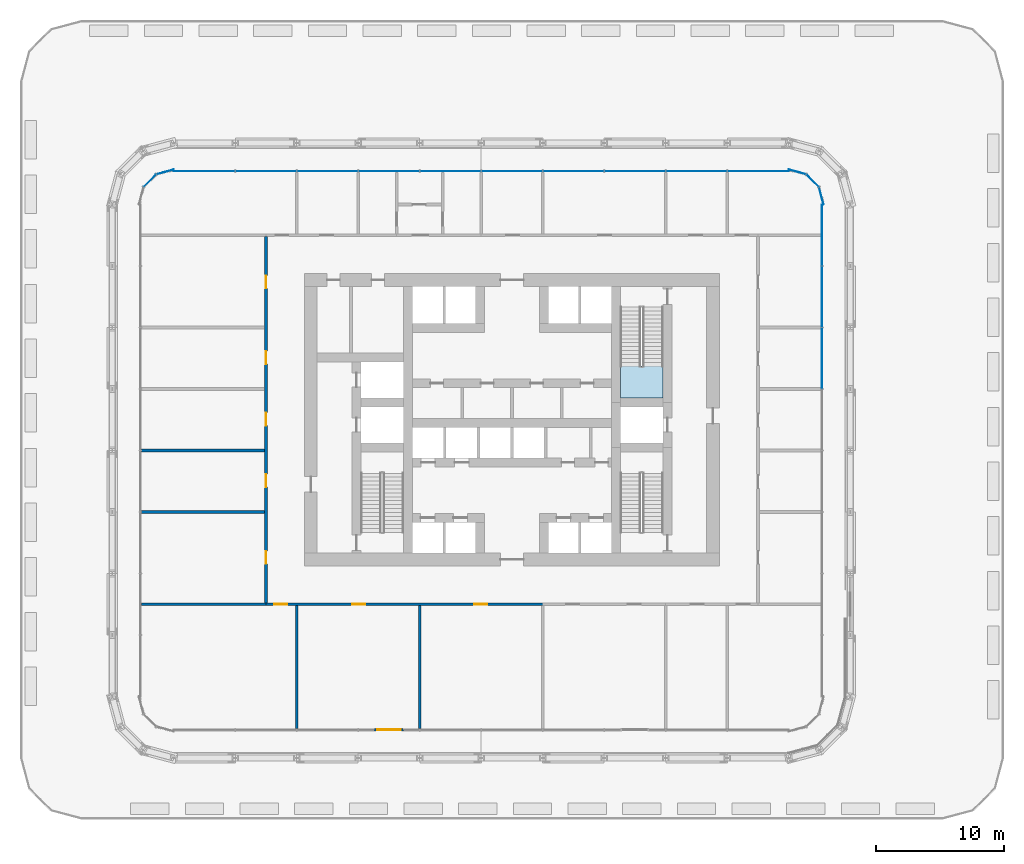
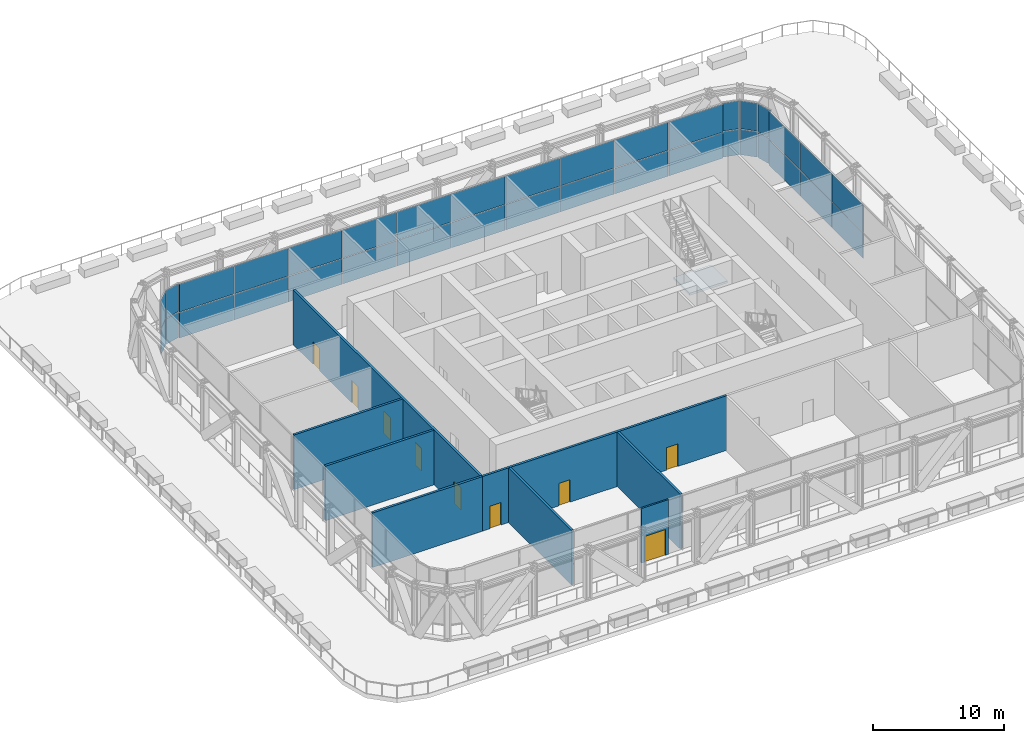
# One storey, part 13 of 22: 36 plates, 9 doors, 8 walls, 1 slab, 9 openings, 5 elements without a shape of their own.
"""IFC4 building model written with IfcOpenShell, lengths in metres."""

from ifc_helpers import new_model, si_unit, direction, frame, frame_2d, origin, origin_2d, place, context, subcontext, project, spatial, polyline, rectangle, outline, extrude, material, layer, layer_set, type_object, element, fill, aggregate, save


model = new_model("IFC4")

# Units and contexts
model_context = context("Model", 3, precision=1e-05, world=origin(), true_north=direction((0.0, 1.0)))
body_context = subcontext(model_context, "Body", "Model", "MODEL_VIEW")
ifc_project = project(units=[si_unit("LENGTHUNIT", "METRE"), si_unit("AREAUNIT", "SQUARE_METRE"), si_unit("VOLUMEUNIT", "CUBIC_METRE"), si_unit("PLANEANGLEUNIT", "RADIAN"), si_unit("MASSUNIT", "GRAM", prefix="KILO")], contexts=[model_context])

# Site, building, storey
site_placement = place(None, origin())
site = spatial("IfcSite", under=ifc_project, at=site_placement, CompositionType="ELEMENT")
building_placement = place(site_placement, origin())
building = spatial("IfcBuilding", under=site, at=building_placement, Name="Madar Terraces", CompositionType="ELEMENT")
storey_placement = place(building_placement, frame((0.0, 0.0, 24.0)))
storey = spatial("IfcBuildingStorey", under=building, at=storey_placement, Name="L05", CompositionType="ELEMENT", Elevation=24.0)

# Curtain wall, plates
ifc_material_1 = material(Name="Glass, ceramic frit dark grey, with black aluminium frame", Category="aluminium")
ifc_layer_1 = layer(ifc_material_1, 0.199951171875)
ifc_layer_set_1 = layer_set([ifc_layer_1], Name="Facade curtain wall, tall glazing")
curtain_wall_type = type_object("IfcCurtainWallType", Name="Facade curtain wall, tall glazing", PredefinedType="NOTDEFINED", material=ifc_layer_set_1)
curtain_wall_1_placement = place(storey_placement, origin())
curtain_wall_1 = element("IfcCurtainWall", 1, at=curtain_wall_1_placement, inside=storey, type_object=curtain_wall_type, Name="Outer skin curtain wall east bay 1", PredefinedType="NOTDEFINED")
ifc_material_2 = material(Name="Glass, ceramic frit dark grey", Category="glass")
ifc_layer_2 = layer(ifc_material_2, 0.028076171875)
ifc_layer_set_2 = layer_set([ifc_layer_2], Name="Facade glass panel 28")
plate_type = type_object("IfcPlateType", Name="Facade glass panel 28", PredefinedType="CURTAIN_PANEL", material=ifc_layer_set_2)
plate_1_placement = place(storey_placement, frame((55.39990234375, 31.199951171875, 0.0), z_axis=(0.0, 0.0, 1.0), x_axis=(0.0, 1.0, 0.0)))
plate_1 = element("IfcPlate", 2, at=plate_1_placement, type_object=plate_type, Name="Panel 11", PredefinedType="CURTAIN_PANEL", context=body_context, shape_type="SweptSolid", body=[
    extrude(rectangle(XDim=4.739990234375, YDim=0.028076171875, at=origin_2d()), origin(), (0.0, 0.0, 1.0), 2.3701171875),
])
plate_2_placement = place(storey_placement, frame((55.39990234375, 31.199951171875, 2.43017578125), z_axis=(0.0, 0.0, 1.0), x_axis=(0.0, 1.0, 0.0)))
plate_2 = element("IfcPlate", 3, at=plate_2_placement, type_object=plate_type, Name="Panel 12", PredefinedType="CURTAIN_PANEL", context=body_context, shape_type="SweptSolid", body=[
    extrude(rectangle(XDim=4.739990234375, YDim=0.028076171875, at=origin_2d()), origin(), (0.0, 0.0, 1.0), 2.610107421875),
])
plate_3_placement = place(storey_placement, frame((55.39990234375, 36.0, 0.0), z_axis=(0.0, 0.0, 1.0), x_axis=(0.0, 1.0, 0.0)))
plate_3 = element("IfcPlate", 4, at=plate_3_placement, type_object=plate_type, Name="Panel 13", PredefinedType="CURTAIN_PANEL", context=body_context, shape_type="SweptSolid", body=[
    extrude(rectangle(XDim=4.739990234375, YDim=0.028076171875, at=origin_2d()), origin(), (0.0, 0.0, 1.0), 2.3701171875),
])
plate_4_placement = place(storey_placement, frame((55.39990234375, 36.0, 2.43017578125), z_axis=(0.0, 0.0, 1.0), x_axis=(0.0, 1.0, 0.0)))
plate_4 = element("IfcPlate", 5, at=plate_4_placement, type_object=plate_type, Name="Panel 14", PredefinedType="CURTAIN_PANEL", context=body_context, shape_type="SweptSolid", body=[
    extrude(rectangle(XDim=4.739990234375, YDim=0.028076171875, at=origin_2d()), origin(), (0.0, 0.0, 1.0), 2.610107421875),
])
plate_5_placement = place(storey_placement, frame((55.39990234375, 40.81494140625, 0.0), z_axis=(0.0, 0.0, 1.0), x_axis=(0.0, 1.0, 0.0)))
plate_5 = element("IfcPlate", 6, at=plate_5_placement, type_object=plate_type, Name="Panel 15", PredefinedType="CURTAIN_PANEL", context=body_context, shape_type="SweptSolid", body=[
    extrude(rectangle(XDim=4.77001953125, YDim=0.028076171875, at=origin_2d()), origin(), (0.0, 0.0, 1.0), 2.3701171875),
])
plate_6_placement = place(storey_placement, frame((55.39990234375, 40.81494140625, 2.43017578125), z_axis=(0.0, 0.0, 1.0), x_axis=(0.0, 1.0, 0.0)))
plate_6 = element("IfcPlate", 7, at=plate_6_placement, type_object=plate_type, Name="Panel 16", PredefinedType="CURTAIN_PANEL", context=body_context, shape_type="SweptSolid", body=[
    extrude(rectangle(XDim=4.77001953125, YDim=0.028076171875, at=origin_2d()), origin(), (0.0, 0.0, 1.0), 2.610107421875),
])
aggregate(curtain_wall_1, [plate_1, plate_2, plate_3, plate_4, plate_5, plate_6])

curtain_wall_2_placement = place(storey_placement, origin())
curtain_wall_2 = element("IfcCurtainWall", 8, at=curtain_wall_2_placement, inside=storey, type_object=curtain_wall_type, Name="Outer skin curtain wall north bay 1", PredefinedType="NOTDEFINED")
plate_7_placement = place(storey_placement, frame((50.4150390625, 45.800048828125, 0.0), z_axis=(0.0, 0.0, 1.0), x_axis=(-1.0, 0.0, 0.0)))
plate_7 = element("IfcPlate", 9, at=plate_7_placement, type_object=plate_type, Name="Panel 1", PredefinedType="CURTAIN_PANEL", context=body_context, shape_type="SweptSolid", body=[
    extrude(rectangle(XDim=4.77001953125, YDim=0.028076171875, at=origin_2d()), origin(), (0.0, 0.0, 1.0), 2.3701171875),
])
plate_8_placement = place(storey_placement, frame((50.4150390625, 45.800048828125, 2.43017578125), z_axis=(0.0, 0.0, 1.0), x_axis=(-1.0, 0.0, 0.0)))
plate_8 = element("IfcPlate", 10, at=plate_8_placement, type_object=plate_type, Name="Panel 2", PredefinedType="CURTAIN_PANEL", context=body_context, shape_type="SweptSolid", body=[
    extrude(rectangle(XDim=4.77001953125, YDim=0.028076171875, at=origin_2d()), origin(), (0.0, 0.0, 1.0), 2.610107421875),
])
plate_9_placement = place(storey_placement, frame((45.60009765625, 45.800048828125, 0.0), z_axis=(0.0, 0.0, 1.0), x_axis=(-1.0, 0.0, 0.0)))
plate_9 = element("IfcPlate", 11, at=plate_9_placement, type_object=plate_type, Name="Panel 3", PredefinedType="CURTAIN_PANEL", context=body_context, shape_type="SweptSolid", body=[
    extrude(rectangle(XDim=4.739990234375, YDim=0.028076171875, at=origin_2d()), origin(), (0.0, 0.0, 1.0), 2.3701171875),
])
plate_10_placement = place(storey_placement, frame((45.60009765625, 45.800048828125, 2.43017578125), z_axis=(0.0, 0.0, 1.0), x_axis=(-1.0, 0.0, 0.0)))
plate_10 = element("IfcPlate", 12, at=plate_10_placement, type_object=plate_type, Name="Panel 4", PredefinedType="CURTAIN_PANEL", context=body_context, shape_type="SweptSolid", body=[
    extrude(rectangle(XDim=4.739990234375, YDim=0.028076171875, at=origin_2d()), origin(), (0.0, 0.0, 1.0), 2.610107421875),
])
plate_11_placement = place(storey_placement, frame((40.800048828125, 45.800048828125, 0.0), z_axis=(0.0, 0.0, 1.0), x_axis=(-1.0, 0.0, 0.0)))
plate_11 = element("IfcPlate", 13, at=plate_11_placement, type_object=plate_type, Name="Panel 5", PredefinedType="CURTAIN_PANEL", context=body_context, shape_type="SweptSolid", body=[
    extrude(rectangle(XDim=4.739990234375, YDim=0.028076171875, at=origin_2d()), origin(), (0.0, 0.0, 1.0), 2.3701171875),
])
plate_12_placement = place(storey_placement, frame((40.800048828125, 45.800048828125, 2.43017578125), z_axis=(0.0, 0.0, 1.0), x_axis=(-1.0, 0.0, 0.0)))
plate_12 = element("IfcPlate", 14, at=plate_12_placement, type_object=plate_type, Name="Panel 6", PredefinedType="CURTAIN_PANEL", context=body_context, shape_type="SweptSolid", body=[
    extrude(rectangle(XDim=4.739990234375, YDim=0.028076171875, at=origin_2d()), origin(), (0.0, 0.0, 1.0), 2.610107421875),
])
plate_13_placement = place(storey_placement, frame((36.0, 45.800048828125, 0.0), z_axis=(0.0, 0.0, 1.0), x_axis=(-1.0, 0.0, 0.0)))
plate_13 = element("IfcPlate", 15, at=plate_13_placement, type_object=plate_type, Name="Panel 7", PredefinedType="CURTAIN_PANEL", context=body_context, shape_type="SweptSolid", body=[
    extrude(rectangle(XDim=4.739990234375, YDim=0.028076171875, at=origin_2d()), origin(), (0.0, 0.0, 1.0), 2.3701171875),
])
plate_14_placement = place(storey_placement, frame((36.0, 45.800048828125, 2.43017578125), z_axis=(0.0, 0.0, 1.0), x_axis=(-1.0, 0.0, 0.0)))
plate_14 = element("IfcPlate", 16, at=plate_14_placement, type_object=plate_type, Name="Panel 8", PredefinedType="CURTAIN_PANEL", context=body_context, shape_type="SweptSolid", body=[
    extrude(rectangle(XDim=4.739990234375, YDim=0.028076171875, at=origin_2d()), origin(), (0.0, 0.0, 1.0), 2.610107421875),
])
plate_15_placement = place(storey_placement, frame((31.199951171875, 45.800048828125, 0.0), z_axis=(0.0, 0.0, 1.0), x_axis=(-1.0, 0.0, 0.0)))
plate_15 = element("IfcPlate", 17, at=plate_15_placement, type_object=plate_type, Name="Panel 9", PredefinedType="CURTAIN_PANEL", context=body_context, shape_type="SweptSolid", body=[
    extrude(rectangle(XDim=4.739990234375, YDim=0.028076171875, at=origin_2d()), origin(), (0.0, 0.0, 1.0), 2.3701171875),
])
plate_16_placement = place(storey_placement, frame((31.199951171875, 45.800048828125, 2.43017578125), z_axis=(0.0, 0.0, 1.0), x_axis=(-1.0, 0.0, 0.0)))
plate_16 = element("IfcPlate", 18, at=plate_16_placement, type_object=plate_type, Name="Panel 10", PredefinedType="CURTAIN_PANEL", context=body_context, shape_type="SweptSolid", body=[
    extrude(rectangle(XDim=4.739990234375, YDim=0.028076171875, at=origin_2d()), origin(), (0.0, 0.0, 1.0), 2.610107421875),
])
plate_17_placement = place(storey_placement, frame((26.39990234375, 45.800048828125, 0.0), z_axis=(0.0, 0.0, 1.0), x_axis=(-1.0, 0.0, 0.0)))
plate_17 = element("IfcPlate", 19, at=plate_17_placement, type_object=plate_type, Name="Panel 11", PredefinedType="CURTAIN_PANEL", context=body_context, shape_type="SweptSolid", body=[
    extrude(rectangle(XDim=4.739990234375, YDim=0.028076171875, at=origin_2d()), origin(), (0.0, 0.0, 1.0), 2.3701171875),
])
plate_18_placement = place(storey_placement, frame((26.39990234375, 45.800048828125, 2.43017578125), z_axis=(0.0, 0.0, 1.0), x_axis=(-1.0, 0.0, 0.0)))
plate_18 = element("IfcPlate", 20, at=plate_18_placement, type_object=plate_type, Name="Panel 12", PredefinedType="CURTAIN_PANEL", context=body_context, shape_type="SweptSolid", body=[
    extrude(rectangle(XDim=4.739990234375, YDim=0.028076171875, at=origin_2d()), origin(), (0.0, 0.0, 1.0), 2.610107421875),
])
plate_19_placement = place(storey_placement, frame((21.60009765625, 45.800048828125, 0.0), z_axis=(0.0, 0.0, 1.0), x_axis=(-1.0, 0.0, 0.0)))
plate_19 = element("IfcPlate", 21, at=plate_19_placement, type_object=plate_type, Name="Panel 13", PredefinedType="CURTAIN_PANEL", context=body_context, shape_type="SweptSolid", body=[
    extrude(rectangle(XDim=4.739990234375, YDim=0.028076171875, at=origin_2d()), origin(), (0.0, 0.0, 1.0), 2.3701171875),
])
plate_20_placement = place(storey_placement, frame((21.60009765625, 45.800048828125, 2.43017578125), z_axis=(0.0, 0.0, 1.0), x_axis=(-1.0, 0.0, 0.0)))
plate_20 = element("IfcPlate", 22, at=plate_20_placement, type_object=plate_type, Name="Panel 14", PredefinedType="CURTAIN_PANEL", context=body_context, shape_type="SweptSolid", body=[
    extrude(rectangle(XDim=4.739990234375, YDim=0.028076171875, at=origin_2d()), origin(), (0.0, 0.0, 1.0), 2.610107421875),
])
plate_21_placement = place(storey_placement, frame((16.800048828125, 45.800048828125, 0.0), z_axis=(0.0, 0.0, 1.0), x_axis=(-1.0, 0.0, 0.0)))
plate_21 = element("IfcPlate", 23, at=plate_21_placement, type_object=plate_type, Name="Panel 15", PredefinedType="CURTAIN_PANEL", context=body_context, shape_type="SweptSolid", body=[
    extrude(rectangle(XDim=4.739990234375, YDim=0.028076171875, at=origin_2d()), origin(), (0.0, 0.0, 1.0), 2.3701171875),
])
plate_22_placement = place(storey_placement, frame((16.800048828125, 45.800048828125, 2.43017578125), z_axis=(0.0, 0.0, 1.0), x_axis=(-1.0, 0.0, 0.0)))
plate_22 = element("IfcPlate", 24, at=plate_22_placement, type_object=plate_type, Name="Panel 16", PredefinedType="CURTAIN_PANEL", context=body_context, shape_type="SweptSolid", body=[
    extrude(rectangle(XDim=4.739990234375, YDim=0.028076171875, at=origin_2d()), origin(), (0.0, 0.0, 1.0), 2.610107421875),
])
plate_23_placement = place(storey_placement, frame((12.0, 45.800048828125, 0.0), z_axis=(0.0, 0.0, 1.0), x_axis=(-1.0, 0.0, 0.0)))
plate_23 = element("IfcPlate", 25, at=plate_23_placement, type_object=plate_type, Name="Panel 17", PredefinedType="CURTAIN_PANEL", context=body_context, shape_type="SweptSolid", body=[
    extrude(rectangle(XDim=4.739990234375, YDim=0.028076171875, at=origin_2d()), origin(), (0.0, 0.0, 1.0), 2.3701171875),
])
plate_24_placement = place(storey_placement, frame((12.0, 45.800048828125, 2.43017578125), z_axis=(0.0, 0.0, 1.0), x_axis=(-1.0, 0.0, 0.0)))
plate_24 = element("IfcPlate", 26, at=plate_24_placement, type_object=plate_type, Name="Panel 18", PredefinedType="CURTAIN_PANEL", context=body_context, shape_type="SweptSolid", body=[
    extrude(rectangle(XDim=4.739990234375, YDim=0.028076171875, at=origin_2d()), origin(), (0.0, 0.0, 1.0), 2.610107421875),
])
plate_25_placement = place(storey_placement, frame((7.18505859375, 45.800048828125, 0.0), z_axis=(0.0, 0.0, 1.0), x_axis=(-1.0, 0.0, 0.0)))
plate_25 = element("IfcPlate", 27, at=plate_25_placement, type_object=plate_type, Name="Panel 19", PredefinedType="CURTAIN_PANEL", context=body_context, shape_type="SweptSolid", body=[
    extrude(rectangle(XDim=4.77001953125, YDim=0.028076171875, at=origin_2d()), origin(), (0.0, 0.0, 1.0), 2.3701171875),
])
plate_26_placement = place(storey_placement, frame((7.18505859375, 45.800048828125, 2.43017578125), z_axis=(0.0, 0.0, 1.0), x_axis=(-1.0, 0.0, 0.0)))
plate_26 = element("IfcPlate", 28, at=plate_26_placement, type_object=plate_type, Name="Panel 20", PredefinedType="CURTAIN_PANEL", context=body_context, shape_type="SweptSolid", body=[
    extrude(rectangle(XDim=4.77001953125, YDim=0.028076171875, at=origin_2d()), origin(), (0.0, 0.0, 1.0), 2.610107421875),
])
aggregate(curtain_wall_2, [plate_7, plate_8, plate_9, plate_10, plate_11, plate_12, plate_13, plate_14, plate_15, plate_16, plate_17, plate_18, plate_19, plate_20, plate_21, plate_22, plate_23, plate_24, plate_25, plate_26])

curtain_wall_3_placement = place(storey_placement, origin())
curtain_wall_3 = element("IfcCurtainWall", 29, at=curtain_wall_3_placement, inside=storey, type_object=curtain_wall_type, Name="Outer skin curtain wall north-east corner", PredefinedType="NOTDEFINED")
plate_27_placement = place(storey_placement, frame((55.341796875, 43.865478515625, 0.0), z_axis=(0.0, 0.0, 1.0), x_axis=(-0.258819110244, 0.965925808834, 0.0)))
plate_27 = element("IfcPlate", 30, at=plate_27_placement, type_object=plate_type, Name="Panel 1", PredefinedType="CURTAIN_PANEL", context=body_context, shape_type="SweptSolid", body=[
    extrude(rectangle(XDim=1.3779296875, YDim=0.028076171875, at=origin_2d()), origin(), (0.0, 0.0, 1.0), 2.3701171875),
])
plate_28_placement = place(storey_placement, frame((55.341796875, 43.865478515625, 2.43017578125), z_axis=(0.0, 0.0, 1.0), x_axis=(-0.258819110244, 0.965925808834, 0.0)))
plate_28 = element("IfcPlate", 31, at=plate_28_placement, type_object=plate_type, Name="Panel 2", PredefinedType="CURTAIN_PANEL", context=body_context, shape_type="SweptSolid", body=[
    extrude(rectangle(XDim=1.3779296875, YDim=0.028076171875, at=origin_2d()), origin(), (0.0, 0.0, 1.0), 2.610107421875),
])
plate_29_placement = place(storey_placement, frame((54.65771484375, 45.057861328125, 0.0), z_axis=(0.0, 0.0, 1.0), x_axis=(-0.707106781187, 0.707106781187, 0.0)))
plate_29 = element("IfcPlate", 32, at=plate_29_placement, type_object=plate_type, Name="Panel 3", PredefinedType="CURTAIN_PANEL", context=body_context, shape_type="SweptSolid", body=[
    extrude(rectangle(XDim=1.347900390625, YDim=0.028076171875, at=origin_2d()), origin(), (0.0, 0.0, 1.0), 2.3701171875),
])
plate_30_placement = place(storey_placement, frame((54.65771484375, 45.057861328125, 2.43017578125), z_axis=(0.0, 0.0, 1.0), x_axis=(-0.707106781187, 0.707106781187, 0.0)))
plate_30 = element("IfcPlate", 33, at=plate_30_placement, type_object=plate_type, Name="Panel 4", PredefinedType="CURTAIN_PANEL", context=body_context, shape_type="SweptSolid", body=[
    extrude(rectangle(XDim=1.347900390625, YDim=0.028076171875, at=origin_2d()), origin(), (0.0, 0.0, 1.0), 2.610107421875),
])
plate_31_placement = place(storey_placement, frame((53.465576171875, 45.74169921875, 0.0), z_axis=(0.0, 0.0, 1.0), x_axis=(-0.965925808834, 0.258819110244, 0.0)))
plate_31 = element("IfcPlate", 34, at=plate_31_placement, type_object=plate_type, Name="Panel 5", PredefinedType="CURTAIN_PANEL", context=body_context, shape_type="SweptSolid", body=[
    extrude(rectangle(XDim=1.3779296875, YDim=0.028076171875, at=origin_2d()), origin(), (0.0, 0.0, 1.0), 2.3701171875),
])
plate_32_placement = place(storey_placement, frame((53.465576171875, 45.74169921875, 2.43017578125), z_axis=(0.0, 0.0, 1.0), x_axis=(-0.965925808834, 0.258819110244, 0.0)))
plate_32 = element("IfcPlate", 35, at=plate_32_placement, type_object=plate_type, Name="Panel 6", PredefinedType="CURTAIN_PANEL", context=body_context, shape_type="SweptSolid", body=[
    extrude(rectangle(XDim=1.3779296875, YDim=0.028076171875, at=origin_2d()), origin(), (0.0, 0.0, 1.0), 2.610107421875),
])
aggregate(curtain_wall_3, [plate_27, plate_28, plate_29, plate_30, plate_31, plate_32])

curtain_wall_4_placement = place(storey_placement, origin())
curtain_wall_4 = element("IfcCurtainWall", 36, at=curtain_wall_4_placement, inside=storey, type_object=curtain_wall_type, Name="Outer skin curtain wall north-west corner", PredefinedType="NOTDEFINED")
plate_33_placement = place(storey_placement, frame((4.134521484375, 45.74169921875, 0.0), z_axis=(0.0, 0.0, 1.0), x_axis=(-0.965925808834, -0.258819110244, 0.0)))
plate_33 = element("IfcPlate", 37, at=plate_33_placement, type_object=plate_type, Name="Panel 1", PredefinedType="CURTAIN_PANEL", context=body_context, shape_type="SweptSolid", body=[
    extrude(rectangle(XDim=1.3779296875, YDim=0.028076171875, at=origin_2d()), origin(), (0.0, 0.0, 1.0), 2.3701171875),
])
plate_34_placement = place(storey_placement, frame((4.134521484375, 45.74169921875, 2.43017578125), z_axis=(0.0, 0.0, 1.0), x_axis=(-0.965925808834, -0.258819110244, 0.0)))
plate_34 = element("IfcPlate", 38, at=plate_34_placement, type_object=plate_type, Name="Panel 2", PredefinedType="CURTAIN_PANEL", context=body_context, shape_type="SweptSolid", body=[
    extrude(rectangle(XDim=1.3779296875, YDim=0.028076171875, at=origin_2d()), origin(), (0.0, 0.0, 1.0), 2.610107421875),
])
plate_35_placement = place(storey_placement, frame((2.942138671875, 45.057861328125, 0.0), z_axis=(0.0, 0.0, 1.0), x_axis=(-0.707106781187, -0.707106781187, 0.0)))
plate_35 = element("IfcPlate", 39, at=plate_35_placement, type_object=plate_type, Name="Panel 3", PredefinedType="CURTAIN_PANEL", context=body_context, shape_type="SweptSolid", body=[
    extrude(rectangle(XDim=1.347900390625, YDim=0.028076171875, at=origin_2d()), origin(), (0.0, 0.0, 1.0), 2.3701171875),
])
plate_36_placement = place(storey_placement, frame((2.942138671875, 45.057861328125, 2.43017578125), z_axis=(0.0, 0.0, 1.0), x_axis=(-0.707106781187, -0.707106781187, 0.0)))
plate_36 = element("IfcPlate", 40, at=plate_36_placement, type_object=plate_type, Name="Panel 4", PredefinedType="CURTAIN_PANEL", context=body_context, shape_type="SweptSolid", body=[
    extrude(rectangle(XDim=1.347900390625, YDim=0.028076171875, at=origin_2d()), origin(), (0.0, 0.0, 1.0), 2.610107421875),
])
aggregate(curtain_wall_4, [plate_33, plate_34, plate_35, plate_36])

# Stair, slab
ifc_material_3 = material(Name="Concrete C50/60", Category="concrete")
stair_type = type_object("IfcStairType", Name="Stair ST2 protected exit", PredefinedType="HALF_TURN_STAIR", material=ifc_material_3)
stair_placement = place(storey_placement, origin())
stair = element("IfcStair", 41, at=stair_placement, inside=storey, type_object=stair_type, Name="L05 Protected Exit Stair ST2", PredefinedType="HALF_TURN_STAIR")
ifc_material_4 = material(Name="Concrete C50/60", Category="concrete")
ifc_layer_3 = layer(ifc_material_4, 0.199951171875)
ifc_layer_set_3 = layer_set([ifc_layer_3], Name="Stair landing 200, top +2.70")
slab_type = type_object("IfcSlabType", Name="Stair landing 200, top +2.70", PredefinedType="LANDING", material=ifc_layer_set_3)
slab_placement = place(storey_placement, frame((0.0, 0.0, 2.5)))
slab = element("IfcSlab", 42, at=slab_placement, type_object=slab_type, Name="ST2 landing 1", PredefinedType="LANDING", context=body_context, shape_type="SweptSolid", body=[
    extrude(outline(polyline([(39.64990234375, 28.10009765625), (43.0, 28.10009765625), (43.0, 30.580078125), (39.64990234375, 30.580078125), (39.64990234375, 28.10009765625)])), origin(), (0.0, 0.0, 1.0), 0.199951171875),
])
aggregate(stair, [slab])

# Wall, opening, door
ifc_material_5 = material(Name="Aluminium composite panel, black, over insulated backing", Category="aluminium")
ifc_layer_4 = layer(ifc_material_5, 0.14990234375)
ifc_layer_set_4 = layer_set([ifc_layer_4], Name="Facade bay panel 150")
wall_type_1 = type_object("IfcWallType", Name="Facade bay panel 150", PredefinedType="SOLIDWALL", material=ifc_layer_set_4)
wall_1_placement = place(storey_placement, frame((20.39990234375, 2.199951171875, 0.0), z_axis=(0.0, 0.0, 1.0), x_axis=(1.0, 0.0, 0.0)))
wall_1 = element("IfcWall", 43, at=wall_1_placement, inside=storey, type_object=wall_type_1, Name="Facade bay panel", PredefinedType="SOLIDWALL", context=body_context, shape_type="SweptSolid", body=[
    extrude(rectangle(XDim=2.400146484375, YDim=0.14990234375, at=frame_2d((1.2001953125, 0.0))), origin(), (0.0, 0.0, 1.0), 5.10009765625),
])
opening_1_placement = place(wall_1_placement, frame((0.300048828125, 0.0, 0.0)))
opening_1 = element("IfcOpeningElement", 44, at=opening_1_placement, cuts=wall_1, Name="Opening ED1", PredefinedType="OPENING", context=body_context, shape_type="SweptSolid", body=[
    extrude(rectangle(XDim=1.800048828125, YDim=2.39990234375, at=frame_2d((0.89990234375, 1.199951171875))), frame((0.0, 0.0849609375, 0.0), z_axis=(0.0, -1.0, 0.0), x_axis=(1.0, 0.0, 0.0)), (0.0, 0.0, 1.0), 0.169921875),
])
ifc_material_6 = material(Name="Glass, clear, with black aluminium frame", Category="aluminium")
door_type_1 = type_object("IfcDoorType", Name="Balcony and terrace sliding door 1800 x 2400", OperationType="SLIDING_TO_LEFT", PredefinedType="DOOR", material=ifc_material_6)
door_1_placement = place(opening_1_placement, origin())
door_1 = element("IfcDoor", 45, at=door_1_placement, inside=storey, type_object=door_type_1, Name="Balcony door", OperationType="SLIDING_TO_LEFT", OverallHeight=2.39990234375, OverallWidth=1.800048828125, PredefinedType="DOOR", context=body_context, shape_type="SweptSolid", body=[
    extrude(rectangle(XDim=1.800048828125, YDim=2.39990234375, at=frame_2d((0.89990234375, 1.199951171875))), frame((0.0, 0.02490234375, 0.0), z_axis=(0.0, -1.0, 0.0), x_axis=(1.0, 0.0, 0.0)), (0.0, 0.0, 1.0), 0.050048828125),
])
fill(opening_1, door_1)

# Wall
ifc_material_7 = material(Name="Gypsum board partition, fire-rated")
ifc_layer_5 = layer(ifc_material_7, 0.199951171875)
ifc_layer_set_5 = layer_set([ifc_layer_5], Name="Partition 200 EI 60")
wall_type_2 = type_object("IfcWallType", Name="Partition 200 EI 60", PredefinedType="PARTITIONING", material=ifc_layer_set_5)
wall_2_placement = place(storey_placement, frame((2.300048828125, 12.0, 0.0), z_axis=(0.0, 0.0, 1.0), x_axis=(1.0, 0.0, 0.0)))
element("IfcWall", 46, at=wall_2_placement, inside=storey, type_object=wall_type_2, Name="Wall STAFF ROOM / GAMES ROOM", PredefinedType="PARTITIONING", context=body_context, shape_type="SweptSolid", body=[
    extrude(rectangle(XDim=9.699951171875, YDim=0.199951171875, at=frame_2d((4.85009765625, 0.0))), origin(), (0.0, 0.0, 1.0), 5.10009765625),
])

# Wall, openings, doors
wall_3_placement = place(storey_placement, frame((33.60009765625, 12.0, 0.0), z_axis=(0.0, 0.0, 1.0), x_axis=(-1.0, 0.0, 0.0)))
wall_3 = element("IfcWall", 47, at=wall_3_placement, inside=storey, type_object=wall_type_2, Name="Wall KITCHEN + NURSERY PLAY ROOM", PredefinedType="PARTITIONING", context=body_context, shape_type="SweptSolid", body=[
    extrude(rectangle(XDim=21.60009765625, YDim=0.199951171875, at=frame_2d((10.800048828125, 0.0))), origin(), (0.0, 0.0, 1.0), 5.10009765625),
])
opening_2_placement = place(wall_3_placement, frame((19.949951171875, 0.0, 0.0)))
opening_2 = element("IfcOpeningElement", 48, at=opening_2_placement, cuts=wall_3, Name="Opening D31", PredefinedType="OPENING", context=body_context, shape_type="SweptSolid", body=[
    extrude(rectangle(XDim=1.0, YDim=2.10009765625, at=frame_2d((0.5, 1.050048828125))), frame((0.0, 0.10986328125, 0.0), z_axis=(0.0, -1.0, 0.0), x_axis=(1.0, 0.0, 0.0)), (0.0, 0.0, 1.0), 0.219970703125),
])
opening_3_placement = place(wall_3_placement, frame((13.85009765625, 0.0, 0.0)))
opening_3 = element("IfcOpeningElement", 49, at=opening_3_placement, cuts=wall_3, Name="Opening D31", PredefinedType="OPENING", context=body_context, shape_type="SweptSolid", body=[
    extrude(rectangle(XDim=1.0, YDim=2.10009765625, at=frame_2d((0.5, 1.050048828125))), frame((0.0, 0.10986328125, 0.0), z_axis=(0.0, -1.0, 0.0), x_axis=(1.0, 0.0, 0.0)), (0.0, 0.0, 1.0), 0.219970703125),
])
opening_4_placement = place(wall_3_placement, frame((4.35009765625, 0.0, 0.0)))
opening_4 = element("IfcOpeningElement", 50, at=opening_4_placement, cuts=wall_3, Name="Opening D31", PredefinedType="OPENING", context=body_context, shape_type="SweptSolid", body=[
    extrude(rectangle(XDim=1.0, YDim=2.10009765625, at=frame_2d((0.5, 1.050048828125))), frame((0.0, 0.10986328125, 0.0), z_axis=(0.0, -1.0, 0.0), x_axis=(1.0, 0.0, 0.0)), (0.0, 0.0, 1.0), 0.219970703125),
])
ifc_material_8 = material(Name="Timber door leaf, fire-rated", Category="wood")
door_type_2 = type_object("IfcDoorType", Name="Podium door 1000 x 2100 FD30S", OperationType="NOTDEFINED", PredefinedType="DOOR", material=ifc_material_8)
door_2_placement = place(opening_2_placement, origin())
door_2 = element("IfcDoor", 51, at=door_2_placement, inside=storey, type_object=door_type_2, Name="Door STAFF ROOM / RING CORRIDOR", OperationType="SINGLE_SWING_RIGHT", OverallHeight=2.10009765625, OverallWidth=1.0, PredefinedType="DOOR", context=body_context, shape_type="SweptSolid", body=[
    extrude(rectangle(XDim=1.0, YDim=2.10009765625, at=frame_2d((0.5, 1.050048828125))), frame((0.0, 0.02490234375, 0.0), z_axis=(0.0, -1.0, 0.0), x_axis=(1.0, 0.0, 0.0)), (0.0, 0.0, 1.0), 0.050048828125),
])
fill(opening_2, door_2)
door_3_placement = place(opening_3_placement, origin())
door_3 = element("IfcDoor", 52, at=door_3_placement, inside=storey, type_object=door_type_2, Name="Door NURSERY PLAY ROOM / RING CORRIDOR", OperationType="SINGLE_SWING_LEFT", OverallHeight=2.10009765625, OverallWidth=1.0, PredefinedType="DOOR", context=body_context, shape_type="SweptSolid", body=[
    extrude(rectangle(XDim=1.0, YDim=2.10009765625, at=frame_2d((0.5, 1.050048828125))), frame((0.0, 0.02490234375, 0.0), z_axis=(0.0, -1.0, 0.0), x_axis=(1.0, 0.0, 0.0)), (0.0, 0.0, 1.0), 0.050048828125),
])
fill(opening_3, door_3)
door_4_placement = place(opening_4_placement, origin())
door_4 = element("IfcDoor", 53, at=door_4_placement, inside=storey, type_object=door_type_2, Name="Door KITCHEN / RING CORRIDOR", OperationType="SINGLE_SWING_RIGHT", OverallHeight=2.10009765625, OverallWidth=1.0, PredefinedType="DOOR", context=body_context, shape_type="SweptSolid", body=[
    extrude(rectangle(XDim=1.0, YDim=2.10009765625, at=frame_2d((0.5, 1.050048828125))), frame((0.0, 0.02490234375, 0.0), z_axis=(0.0, -1.0, 0.0), x_axis=(1.0, 0.0, 0.0)), (0.0, 0.0, 1.0), 0.050048828125),
])
fill(opening_4, door_4)

# Walls
for number, where, z_axis, x_axis, name in (
    (54, (2.300048828125, 19.199951171875, 0.0), (0.0, 0.0, 1.0), (1.0, 0.0, 0.0), "Wall GAMES ROOM / ACTIVITY ROOM"),
    (55, (2.300048828125, 24.0, 0.0), (0.0, 0.0, 1.0), (1.0, 0.0, 0.0), "Wall ACTIVITY ROOM / ACTIVITY ROOM"),
):
    element("IfcWall", number, at=place(storey_placement, frame(where, z_axis=z_axis, x_axis=x_axis)), inside=storey, type_object=wall_type_2, Name=name, PredefinedType="PARTITIONING", context=body_context, shape_type="SweptSolid", body=[
        extrude(rectangle(XDim=9.599853515625, YDim=0.199951171875, at=frame_2d((4.7998046875, 0.0))), origin(), (0.0, 0.0, 1.0), 5.10009765625),
    ])

# Wall, openings, doors
wall_4_placement = place(storey_placement, frame((12.0, 12.10009765625, 0.0), z_axis=(0.0, 0.0, 1.0), x_axis=(0.0, 1.0, 0.0)))
wall_4 = element("IfcWall", 56, at=wall_4_placement, inside=storey, type_object=wall_type_2, Name="Wall ACTIVITY ROOM + COMPUTER ROOM", PredefinedType="PARTITIONING", context=body_context, shape_type="SweptSolid", body=[
    extrude(rectangle(XDim=28.599853515625, YDim=0.199951171875, at=frame_2d((14.2998046875, 0.0))), origin(), (0.0, 0.0, 1.0), 5.10009765625),
])
opening_5_placement = place(wall_4_placement, frame((3.050048828125, 0.0, 0.0)))
opening_5 = element("IfcOpeningElement", 57, at=opening_5_placement, cuts=wall_4, Name="Opening D31", PredefinedType="OPENING", context=body_context, shape_type="SweptSolid", body=[
    extrude(rectangle(XDim=1.0, YDim=2.10009765625, at=frame_2d((0.5, 1.050048828125))), frame((0.0, 0.10986328125, 0.0), z_axis=(0.0, -1.0, 0.0), x_axis=(1.0, 0.0, 0.0)), (0.0, 0.0, 1.0), 0.219970703125),
])
opening_6_placement = place(wall_4_placement, frame((9.050048828125, 0.0, 0.0)))
opening_6 = element("IfcOpeningElement", 58, at=opening_6_placement, cuts=wall_4, Name="Opening D31", PredefinedType="OPENING", context=body_context, shape_type="SweptSolid", body=[
    extrude(rectangle(XDim=1.0, YDim=2.10009765625, at=frame_2d((0.5, 1.050048828125))), frame((0.0, 0.10986328125, 0.0), z_axis=(0.0, -1.0, 0.0), x_axis=(1.0, 0.0, 0.0)), (0.0, 0.0, 1.0), 0.219970703125),
])
opening_7_placement = place(wall_4_placement, frame((13.85009765625, 0.0, 0.0)))
opening_7 = element("IfcOpeningElement", 59, at=opening_7_placement, cuts=wall_4, Name="Opening D31", PredefinedType="OPENING", context=body_context, shape_type="SweptSolid", body=[
    extrude(rectangle(XDim=1.0, YDim=2.10009765625, at=frame_2d((0.5, 1.050048828125))), frame((0.0, 0.10986328125, 0.0), z_axis=(0.0, -1.0, 0.0), x_axis=(1.0, 0.0, 0.0)), (0.0, 0.0, 1.0), 0.219970703125),
])
opening_8_placement = place(wall_4_placement, frame((18.64990234375, 0.0, 0.0)))
opening_8 = element("IfcOpeningElement", 60, at=opening_8_placement, cuts=wall_4, Name="Opening D31", PredefinedType="OPENING", context=body_context, shape_type="SweptSolid", body=[
    extrude(rectangle(XDim=1.0, YDim=2.10009765625, at=frame_2d((0.5, 1.050048828125))), frame((0.0, 0.10986328125, 0.0), z_axis=(0.0, -1.0, 0.0), x_axis=(1.0, 0.0, 0.0)), (0.0, 0.0, 1.0), 0.219970703125),
])
opening_9_placement = place(wall_4_placement, frame((24.550048828125, 0.0, 0.0)))
opening_9 = element("IfcOpeningElement", 61, at=opening_9_placement, cuts=wall_4, Name="Opening D31", PredefinedType="OPENING", context=body_context, shape_type="SweptSolid", body=[
    extrude(rectangle(XDim=1.0, YDim=2.10009765625, at=frame_2d((0.5, 1.050048828125))), frame((0.0, 0.10986328125, 0.0), z_axis=(0.0, -1.0, 0.0), x_axis=(1.0, 0.0, 0.0)), (0.0, 0.0, 1.0), 0.219970703125),
])
door_5_placement = place(opening_5_placement, origin())
door_5 = element("IfcDoor", 62, at=door_5_placement, inside=storey, type_object=door_type_2, Name="Door GAMES ROOM / RING CORRIDOR", OperationType="SINGLE_SWING_RIGHT", OverallHeight=2.10009765625, OverallWidth=1.0, PredefinedType="DOOR", context=body_context, shape_type="SweptSolid", body=[
    extrude(rectangle(XDim=1.0, YDim=2.10009765625, at=frame_2d((0.5, 1.050048828125))), frame((0.0, 0.02490234375, 0.0), z_axis=(0.0, -1.0, 0.0), x_axis=(1.0, 0.0, 0.0)), (0.0, 0.0, 1.0), 0.050048828125),
])
fill(opening_5, door_5)
door_6_placement = place(opening_6_placement, origin())
door_6 = element("IfcDoor", 63, at=door_6_placement, inside=storey, type_object=door_type_2, Name="Door ACTIVITY ROOM / RING CORRIDOR", OperationType="SINGLE_SWING_RIGHT", OverallHeight=2.10009765625, OverallWidth=1.0, PredefinedType="DOOR", context=body_context, shape_type="SweptSolid", body=[
    extrude(rectangle(XDim=1.0, YDim=2.10009765625, at=frame_2d((0.5, 1.050048828125))), frame((0.0, 0.02490234375, 0.0), z_axis=(0.0, -1.0, 0.0), x_axis=(1.0, 0.0, 0.0)), (0.0, 0.0, 1.0), 0.050048828125),
])
fill(opening_6, door_6)
door_7_placement = place(opening_7_placement, origin())
door_7 = element("IfcDoor", 64, at=door_7_placement, inside=storey, type_object=door_type_2, Name="Door ACTIVITY ROOM / RING CORRIDOR", OperationType="SINGLE_SWING_RIGHT", OverallHeight=2.10009765625, OverallWidth=1.0, PredefinedType="DOOR", context=body_context, shape_type="SweptSolid", body=[
    extrude(rectangle(XDim=1.0, YDim=2.10009765625, at=frame_2d((0.5, 1.050048828125))), frame((0.0, 0.02490234375, 0.0), z_axis=(0.0, -1.0, 0.0), x_axis=(1.0, 0.0, 0.0)), (0.0, 0.0, 1.0), 0.050048828125),
])
fill(opening_7, door_7)
door_8_placement = place(opening_8_placement, origin())
door_8 = element("IfcDoor", 65, at=door_8_placement, inside=storey, type_object=door_type_2, Name="Door COMPUTER ROOM / RING CORRIDOR", OperationType="SINGLE_SWING_RIGHT", OverallHeight=2.10009765625, OverallWidth=1.0, PredefinedType="DOOR", context=body_context, shape_type="SweptSolid", body=[
    extrude(rectangle(XDim=1.0, YDim=2.10009765625, at=frame_2d((0.5, 1.050048828125))), frame((0.0, 0.02490234375, 0.0), z_axis=(0.0, -1.0, 0.0), x_axis=(1.0, 0.0, 0.0)), (0.0, 0.0, 1.0), 0.050048828125),
])
fill(opening_8, door_8)
door_9_placement = place(opening_9_placement, origin())
door_9 = element("IfcDoor", 66, at=door_9_placement, inside=storey, type_object=door_type_2, Name="Door OFFICE / RING CORRIDOR", OperationType="SINGLE_SWING_RIGHT", OverallHeight=2.10009765625, OverallWidth=1.0, PredefinedType="DOOR", context=body_context, shape_type="SweptSolid", body=[
    extrude(rectangle(XDim=1.0, YDim=2.10009765625, at=frame_2d((0.5, 1.050048828125))), frame((0.0, 0.02490234375, 0.0), z_axis=(0.0, -1.0, 0.0), x_axis=(1.0, 0.0, 0.0)), (0.0, 0.0, 1.0), 0.050048828125),
])
fill(opening_9, door_9)

# Walls
for number, where, z_axis, x_axis, name in (
    (67, (14.39990234375, 2.300048828125, 0.0), (0.0, 0.0, 1.0), (0.0, 1.0, 0.0), "Wall STAFF ROOM / NURSERY PLAY ROOM"),
    (68, (24.0, 2.300048828125, 0.0), (0.0, 0.0, 1.0), (0.0, 1.0, 0.0), "Wall NURSERY PLAY ROOM / KITCHEN"),
):
    element("IfcWall", number, at=place(storey_placement, frame(where, z_axis=z_axis, x_axis=x_axis)), inside=storey, type_object=wall_type_2, Name=name, PredefinedType="PARTITIONING", context=body_context, shape_type="SweptSolid", body=[
        extrude(rectangle(XDim=9.599853515625, YDim=0.199951171875, at=frame_2d((4.7998046875, 0.0))), origin(), (0.0, 0.0, 1.0), 5.10009765625),
    ])

save(model, "model.ifc")
